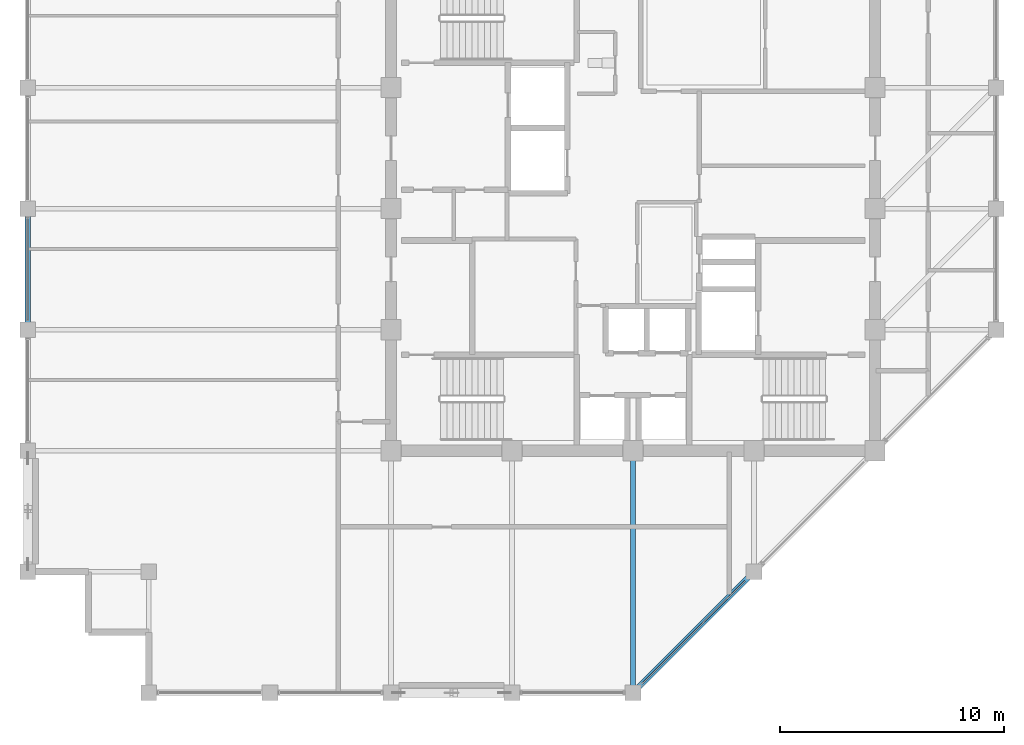
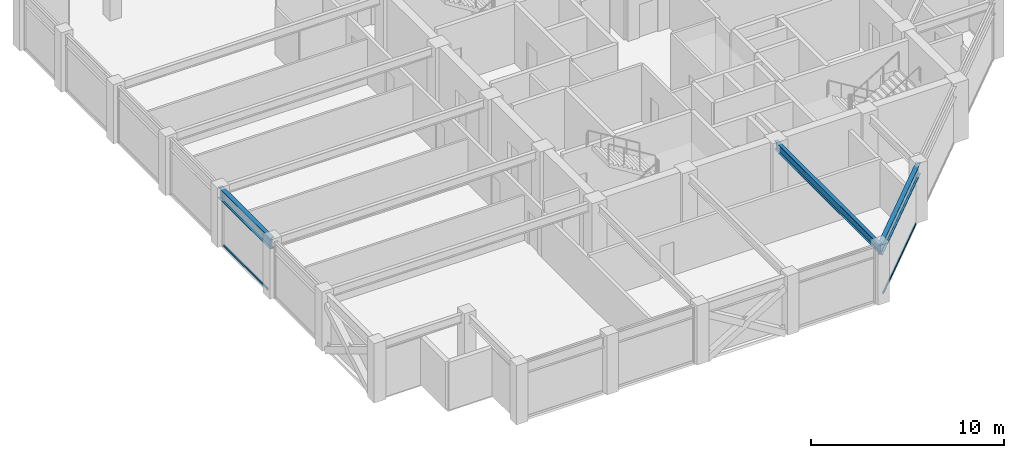
# One storey, part 7 of 31: 3 beams, 2 members, 2 elements without a shape of their own.
"""IFC4 building model written with IfcOpenShell, lengths in metres."""

from ifc_helpers import new_model, si_unit, direction, frame, origin, origin_2d, place, context, subcontext, project, spatial, hollow_rectangle, i_section, extrude, material, layer, layer_set, material_profile, profile_set, type_object, element, aggregate, save


model = new_model("IFC4")

# Units and contexts
model_context = context("Model", 3, precision=1e-05, world=origin(), true_north=direction((0.0, 1.0)))
body_context = subcontext(model_context, "Body", "Model", "MODEL_VIEW")
ifc_project = project(units=[si_unit("LENGTHUNIT", "METRE"), si_unit("AREAUNIT", "SQUARE_METRE"), si_unit("VOLUMEUNIT", "CUBIC_METRE"), si_unit("PLANEANGLEUNIT", "RADIAN"), si_unit("MASSUNIT", "GRAM", prefix="KILO")], contexts=[model_context])

# Site, building, storey
site_placement = place(None, origin())
site = spatial("IfcSite", under=ifc_project, at=site_placement, CompositionType="ELEMENT")
building_placement = place(site_placement, origin())
building = spatial("IfcBuilding", under=site, at=building_placement, Name="Surkhivell Harbour Commons", CompositionType="ELEMENT")
storey_placement = place(building_placement, frame((0.0, 0.0, 288.75)))
storey = spatial("IfcBuildingStorey", under=building, at=storey_placement, Name="L75", CompositionType="ELEMENT", Elevation=288.75)

# Beams
ifc_material_1 = material(Name="Steel S355", Category="steel")
ifc_material_profile_1 = material_profile(ifc_material_1, i_section(OverallWidth=0.2099609375, OverallDepth=0.537109375, WebThickness=0.0107421875, FlangeThickness=0.017333984375, at=origin_2d()), Name="UB533x210x101")
ifc_profile_set_1 = profile_set([ifc_material_profile_1], Name="Steel S355")
beam_type_1 = type_object("IfcBeamType", Name="BM-GRD-533B", PredefinedType="BEAM", material=ifc_profile_set_1)
beam_1_placement = place(storey_placement, frame((0.0, -21.60009765625, 3.301513671875), z_axis=(0.0, 1.0, 0.0), x_axis=(-1.0, 0.0, 0.0)))
element("IfcBeam", 1, at=beam_1_placement, inside=storey, type_object=beam_type_1, Name="L75 Floor Girder (0.0,-21.6)", PredefinedType="BEAM", context=body_context, shape_type="SweptSolid", body=[
    extrude(i_section(OverallWidth=0.2099609375, OverallDepth=0.537109375, WebThickness=0.0107421875, FlangeThickness=0.017333984375, at=origin_2d()), origin(), (0.0, 0.0, 1.0), 10.800048828125),
])
ifc_material_profile_2 = material_profile(ifc_material_1, i_section(OverallWidth=0.256103515625, OverallDepth=0.693115234375, WebThickness=0.014404296875, FlangeThickness=0.023681640625, at=origin_2d()), Name="UB686x254x170")
ifc_profile_set_2 = profile_set([ifc_material_profile_2], Name="Steel S355")
beam_type_2 = type_object("IfcBeamType", Name="BM-SPN-686", PredefinedType="SPANDREL", material=ifc_profile_set_2)
beam_2_placement = place(storey_placement, frame((-27.0, -5.39990234375, 3.223388671875), z_axis=(0.0, 1.0, 0.0), x_axis=(-1.0, 0.0, 0.0)))
element("IfcBeam", 2, at=beam_2_placement, inside=storey, type_object=beam_type_2, Name="L75 Tube Spandrel (-27.0,-5.4)", PredefinedType="SPANDREL", context=body_context, shape_type="SweptSolid", body=[
    extrude(i_section(OverallWidth=0.256103515625, OverallDepth=0.693115234375, WebThickness=0.014404296875, FlangeThickness=0.023681640625, at=origin_2d()), origin(), (0.0, 0.0, 1.0), 5.39990234375),
])
beam_3_placement = place(storey_placement, frame((0.0, -21.60009765625, 3.223388671875), z_axis=(0.707090796496, 0.707122765516, 0.0), x_axis=(-0.707122765516, 0.707090796496, 0.0)))
element("IfcBeam", 3, at=beam_3_placement, inside=storey, type_object=beam_type_2, Name="L75 Tube Spandrel (-0.0,-21.6)", PredefinedType="SPANDREL", context=body_context, shape_type="SweptSolid", body=[
    extrude(i_section(OverallWidth=0.256103515625, OverallDepth=0.693115234375, WebThickness=0.014404296875, FlangeThickness=0.023681640625, at=origin_2d()), origin(), (0.0, 0.0, 1.0), 7.63671875),
])

# Curtain wall, member
ifc_material_2 = material(Name="Anodised pale-metal aluminium and insulated glazing", Category="aluminium")
ifc_layer = layer(ifc_material_2, 0.175048828125)
ifc_layer_set = layer_set([ifc_layer], Name="Anodised pale-metal aluminium and insulated glazing")
curtain_wall_type = type_object("IfcCurtainWallType", Name="CW-SYS-Z4", PredefinedType="NOTDEFINED", material=ifc_layer_set)
curtain_wall_1_placement = place(storey_placement, origin())
curtain_wall_1 = element("IfcCurtainWall", 4, at=curtain_wall_1_placement, inside=storey, type_object=curtain_wall_type, Name="L75 Curtain Wall CW-L75-E01", PredefinedType="NOTDEFINED")
ifc_material_3 = material(Name="Champagne anodised aluminium alloy 6063-T6", Category="aluminium")
ifc_material_profile_3 = material_profile(ifc_material_3, hollow_rectangle(XDim=0.070068359375, YDim=0.1298828125, WallThickness=0.00341796875, at=origin_2d()), Name="ALU-TRAN-70x130")
ifc_profile_set_3 = profile_set([ifc_material_profile_3], Name="Champagne anodised aluminium alloy 6063-T6")
member_type = type_object("IfcMemberType", Name="CWT-130", PredefinedType="USERDEFINED", material=ifc_profile_set_3)
member_1_placement = place(storey_placement, frame((0.404541015625, -21.1953125, 0.06494140625), z_axis=(0.707125583467, 0.707087978406, 0.0), x_axis=(-0.707087978406, 0.707125583467, 0.0)))
member_1 = element("IfcMember", 5, at=member_1_placement, type_object=member_type, Name="CW-Z4 transom 1.1", ObjectType="TRANSOM", PredefinedType="USERDEFINED", context=body_context, shape_type="SweptSolid", body=[
    extrude(hollow_rectangle(XDim=0.070068359375, YDim=0.1298828125, WallThickness=0.00341796875, at=origin_2d()), origin(), (0.0, 0.0, 1.0), 6.4921875),
])
aggregate(curtain_wall_1, [member_1])

curtain_wall_2_placement = place(storey_placement, origin())
curtain_wall_2 = element("IfcCurtainWall", 6, at=curtain_wall_2_placement, inside=storey, type_object=curtain_wall_type, Name="L75 Curtain Wall CW-L75-E12S1", PredefinedType="NOTDEFINED")
member_2_placement = place(storey_placement, frame((-27.0, -0.427001953125, 0.06494140625), z_axis=(0.0, -1.0, 0.0), x_axis=(1.0, 0.0, 0.0)))
member_2 = element("IfcMember", 7, at=member_2_placement, type_object=member_type, Name="CW-Z4 transom 5.1", ObjectType="TRANSOM", PredefinedType="USERDEFINED", context=body_context, shape_type="SweptSolid", body=[
    extrude(hollow_rectangle(XDim=0.070068359375, YDim=0.1298828125, WallThickness=0.00341796875, at=origin_2d()), origin(), (0.0, 0.0, 1.0), 4.5458984375),
])
aggregate(curtain_wall_2, [member_2])

save(model, "model.ifc")
